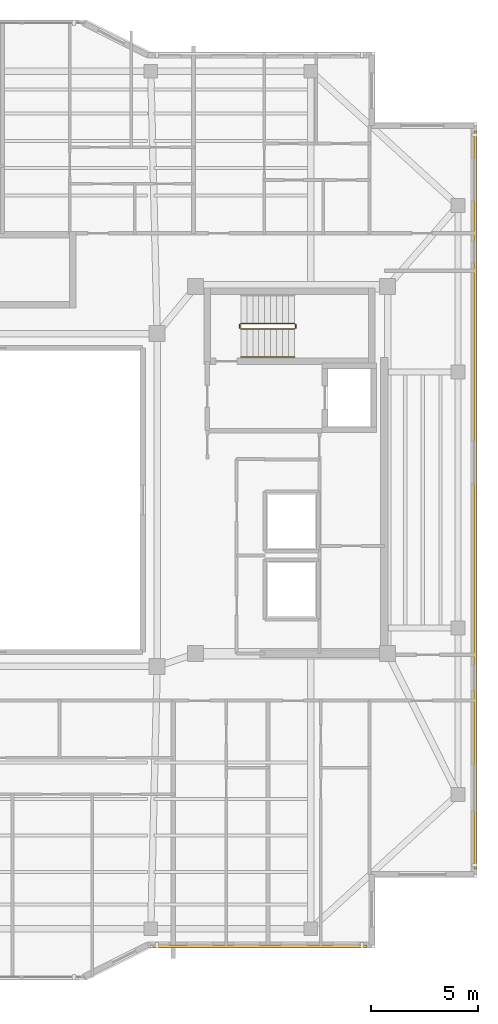
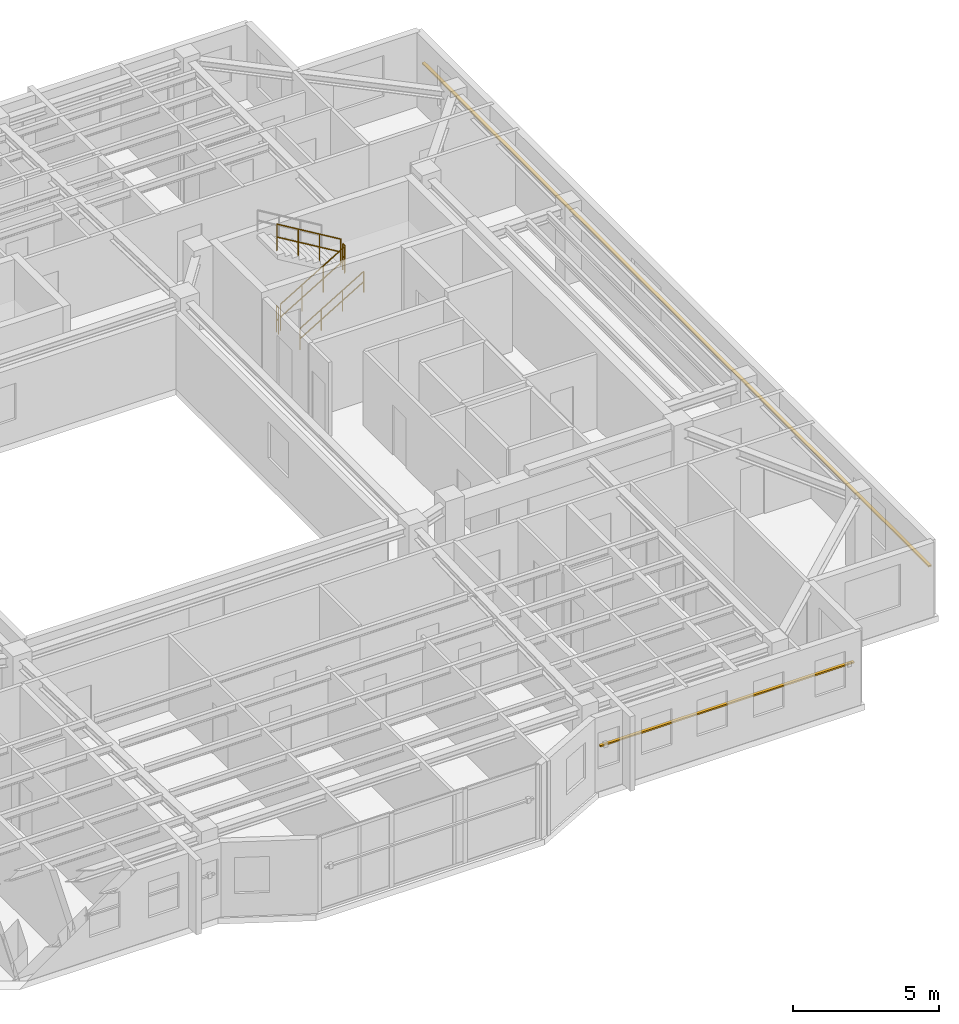
# One storey, part 13 of 14: 5 railings, 2 shading devices.
"""IFC4 building model written with IfcOpenShell, lengths in metres."""

from ifc_helpers import new_model, si_unit, direction, frame, origin, origin_2d, place, context, subcontext, project, spatial, rectangle, circle, extrude, material, material_profile, profile_set, type_object, element, save


model = new_model("IFC4")

# Units and contexts
model_context = context("Model", 3, precision=1e-05, world=origin(), true_north=direction((0.0, 1.0)))
body_context = subcontext(model_context, "Body", "Model", "MODEL_VIEW")
ifc_project = project(units=[si_unit("LENGTHUNIT", "METRE"), si_unit("AREAUNIT", "SQUARE_METRE"), si_unit("VOLUMEUNIT", "CUBIC_METRE"), si_unit("PLANEANGLEUNIT", "RADIAN"), si_unit("MASSUNIT", "GRAM", prefix="KILO")], contexts=[model_context])

# Site, building, storey
site_placement = place(None, origin())
site = spatial("IfcSite", under=ifc_project, at=site_placement, CompositionType="ELEMENT")
building_placement = place(site_placement, origin())
building = spatial("IfcBuilding", under=site, at=building_placement, Name="Tarnavaz Court Tower", CompositionType="ELEMENT")
storey_placement = place(building_placement, frame((0.0, 0.0, 261.60009765625)))
storey = spatial("IfcBuildingStorey", under=building, at=storey_placement, Name="L71", CompositionType="ELEMENT", Elevation=261.60009765625)

# Railings
ifc_material_1 = material(Name="Brushed Stainless Steel", Category="steel")
railing_type_1 = type_object("IfcRailingType", Name="RL-HANDRAIL-900", PredefinedType="HANDRAIL", material=ifc_material_1)
railing_1_placement = place(storey_placement, frame((11.719970703125, 6.699951171875, 0.16748046875)))
element("IfcRailing", 1, at=railing_1_placement, inside=storey, type_object=railing_type_1, Name="L71 ST-E1 stair handrail 1", PredefinedType="HANDRAIL", context=body_context, shape_type="SweptSolid", body=[
    extrude(circle(Radius=0.02392578125, at=origin_2d()), frame((0.0, 0.0, 0.8759765625), z_axis=(0.858196387827, 0.0, 0.513321497621), x_axis=(0.0, 1.0, 0.0)), (0.0, 0.0, 1.0), 2.9365234375),
    extrude(circle(Radius=0.02392578125, at=origin_2d()), frame((0.0, 0.0, 0.449951171875), z_axis=(0.858196387827, 0.0, 0.513321497621), x_axis=(0.0, 1.0, 0.0)), (0.0, 0.0, 1.0), 2.9365234375),
    extrude(circle(Radius=0.02099609375, at=origin_2d()), origin(), (0.0, 0.0, 1.0), 0.851806640625),
    extrude(circle(Radius=0.02099609375, at=origin_2d()), frame((0.840087890625, 0.0, 0.50244140625)), (0.0, 0.0, 1.0), 0.851806640625),
    extrude(circle(Radius=0.02099609375, at=origin_2d()), frame((1.679931640625, 0.0, 1.0048828125)), (0.0, 0.0, 1.0), 0.851806640625),
    extrude(circle(Radius=0.02099609375, at=origin_2d()), frame((2.52001953125, 0.0, 1.50732421875)), (0.0, 0.0, 1.0), 0.851806640625),
])
ifc_material_2 = material(Name="Galvanized Painted Tubular Steel", Category="steel")
railing_type_2 = type_object("IfcRailingType", Name="RL-STGUARD-1120", PredefinedType="GUARDRAIL", material=ifc_material_2)
railing_2_placement = place(storey_placement, frame((11.719970703125, 8.02001953125, 0.16748046875)))
element("IfcRailing", 2, at=railing_2_placement, inside=storey, type_object=railing_type_2, Name="L71 ST-E1 stair guard 1", PredefinedType="GUARDRAIL", context=body_context, shape_type="SweptSolid", body=[
    extrude(circle(Radius=0.02392578125, at=origin_2d()), frame((0.0, 0.0, 1.09619140625), z_axis=(0.858196387827, 0.0, 0.513321497621), x_axis=(0.0, 1.0, 0.0)), (0.0, 0.0, 1.0), 2.9365234375),
    extrude(circle(Radius=0.02392578125, at=origin_2d()), frame((0.0, 0.0, 0.56005859375), z_axis=(0.858196387827, 0.0, 0.513321497621), x_axis=(0.0, 1.0, 0.0)), (0.0, 0.0, 1.0), 2.9365234375),
    extrude(circle(Radius=0.02099609375, at=origin_2d()), origin(), (0.0, 0.0, 1.0), 1.072021484375),
    extrude(circle(Radius=0.02099609375, at=origin_2d()), frame((0.840087890625, 0.0, 0.50244140625)), (0.0, 0.0, 1.0), 1.072021484375),
    extrude(circle(Radius=0.02099609375, at=origin_2d()), frame((1.679931640625, 0.0, 1.0048828125)), (0.0, 0.0, 1.0), 1.072021484375),
    extrude(circle(Radius=0.02099609375, at=origin_2d()), frame((2.52001953125, 0.0, 1.50732421875)), (0.0, 0.0, 1.0), 1.072021484375),
])
railing_3_placement = place(storey_placement, frame((14.2900390625, 8.070068359375, 1.6748046875)))
element("IfcRailing", 3, at=railing_3_placement, inside=storey, type_object=railing_type_2, Name="L71 ST-E1 stair guard 2", PredefinedType="GUARDRAIL", context=body_context, shape_type="SweptSolid", body=[
    extrude(circle(Radius=0.02392578125, at=origin_2d()), frame((0.0, 0.0, 1.09619140625), z_axis=(0.0, 1.0, 0.0), x_axis=(-1.0, 0.0, 0.0)), (0.0, 0.0, 1.0), 0.14990234375),
    extrude(circle(Radius=0.02392578125, at=origin_2d()), frame((0.0, 0.0, 0.56005859375), z_axis=(0.0, 1.0, 0.0), x_axis=(-1.0, 0.0, 0.0)), (0.0, 0.0, 1.0), 0.14990234375),
    extrude(circle(Radius=0.02099609375, at=origin_2d()), origin(), (0.0, 0.0, 1.0), 1.072021484375),
    extrude(circle(Radius=0.02099609375, at=origin_2d()), frame((0.0, 0.14990234375, 0.0)), (0.0, 0.0, 1.0), 1.072021484375),
])
railing_4_placement = place(storey_placement, frame((14.239990234375, 8.27001953125, 1.84228515625)))
element("IfcRailing", 4, at=railing_4_placement, inside=storey, type_object=railing_type_2, Name="L71 ST-E1 stair guard 3", PredefinedType="GUARDRAIL", context=body_context, shape_type="SweptSolid", body=[
    extrude(circle(Radius=0.02392578125, at=origin_2d()), frame((0.0, 0.0, 1.09619140625), z_axis=(-0.858159760407, 0.0, 0.513382728203), x_axis=(0.0, -1.0, 0.0)), (0.0, 0.0, 1.0), 2.9365234375),
    extrude(circle(Radius=0.02392578125, at=origin_2d()), frame((0.0, 0.0, 0.56005859375), z_axis=(-0.858159760407, 0.0, 0.513382728203), x_axis=(0.0, -1.0, 0.0)), (0.0, 0.0, 1.0), 2.9365234375),
    extrude(circle(Radius=0.02099609375, at=origin_2d()), origin(), (0.0, 0.0, 1.0), 1.072021484375),
    extrude(circle(Radius=0.02099609375, at=origin_2d()), frame((-0.840087890625, 0.0, 0.50244140625)), (0.0, 0.0, 1.0), 1.072021484375),
    extrude(circle(Radius=0.02099609375, at=origin_2d()), frame((-1.679931640625, 0.0, 1.005126953125)), (0.0, 0.0, 1.0), 1.072021484375),
    extrude(circle(Radius=0.02099609375, at=origin_2d()), frame((-2.52001953125, 0.0, 1.507568359375)), (0.0, 0.0, 1.0), 1.072021484375),
])
railing_5_placement = place(storey_placement, frame((11.669921875, 8.070068359375, 0.0)))
element("IfcRailing", 5, at=railing_5_placement, inside=storey, type_object=railing_type_2, Name="L71 ST-E1 stair guard 4", PredefinedType="GUARDRAIL", context=body_context, shape_type="SweptSolid", body=[
    extrude(circle(Radius=0.02392578125, at=origin_2d()), frame((0.0, 0.0, 1.09619140625), z_axis=(0.0, 1.0, 0.0), x_axis=(-1.0, 0.0, 0.0)), (0.0, 0.0, 1.0), 0.14990234375),
    extrude(circle(Radius=0.02392578125, at=origin_2d()), frame((0.0, 0.0, 0.56005859375), z_axis=(0.0, 1.0, 0.0), x_axis=(-1.0, 0.0, 0.0)), (0.0, 0.0, 1.0), 0.14990234375),
    extrude(circle(Radius=0.02099609375, at=origin_2d()), origin(), (0.0, 0.0, 1.0), 1.072021484375),
    extrude(circle(Radius=0.02099609375, at=origin_2d()), frame((0.0, 0.14990234375, 0.0)), (0.0, 0.0, 1.0), 1.072021484375),
])

# Shading devices
ifc_material_3 = material(Name="Kiln-Fired Khorasan Terracotta Ceramic", Category="masonry")
ifc_material_profile = material_profile(ifc_material_3, rectangle(XDim=0.1201171875, YDim=0.06005859375, at=origin_2d()), Name="TC BAGUETTE 120X60")
ifc_profile_set = profile_set([ifc_material_profile], Name="Kiln-Fired Khorasan Terracotta Ceramic")
shading_device_type = type_object("IfcShadingDeviceType", Name="SD-BAG-120", PredefinedType="USERDEFINED", material=ifc_profile_set)
shading_device_1_placement = place(storey_placement, frame((22.7099609375, 17.300048828125, 1.849853515625), z_axis=(0.0, -1.0, 0.0), x_axis=(1.0, 0.0, 0.0)))
element("IfcShadingDevice", 6, at=shading_device_1_placement, inside=storey, type_object=shading_device_type, Name="L71 Terracotta Baguette Screen FBG12", ObjectType="BAGUETTE", PredefinedType="USERDEFINED", context=body_context, shape_type="SweptSolid", body=[
    extrude(rectangle(XDim=0.1201171875, YDim=0.06005859375, at=origin_2d()), origin(), (0.0, 0.0, 1.0), 34.60009765625),
])
shading_device_2_placement = place(storey_placement, frame((17.60009765625, -20.909912109375, 1.849853515625), z_axis=(-1.0, 0.0, 0.0), x_axis=(0.0, -1.0, 0.0)))
element("IfcShadingDevice", 7, at=shading_device_2_placement, inside=storey, type_object=shading_device_type, Name="L71 Terracotta Baguette Screen FBG15", ObjectType="BAGUETTE", PredefinedType="USERDEFINED", context=body_context, shape_type="SweptSolid", body=[
    extrude(rectangle(XDim=0.1201171875, YDim=0.06005859375, at=origin_2d()), origin(), (0.0, 0.0, 1.0), 10.0),
])

save(model, "model.ifc")
